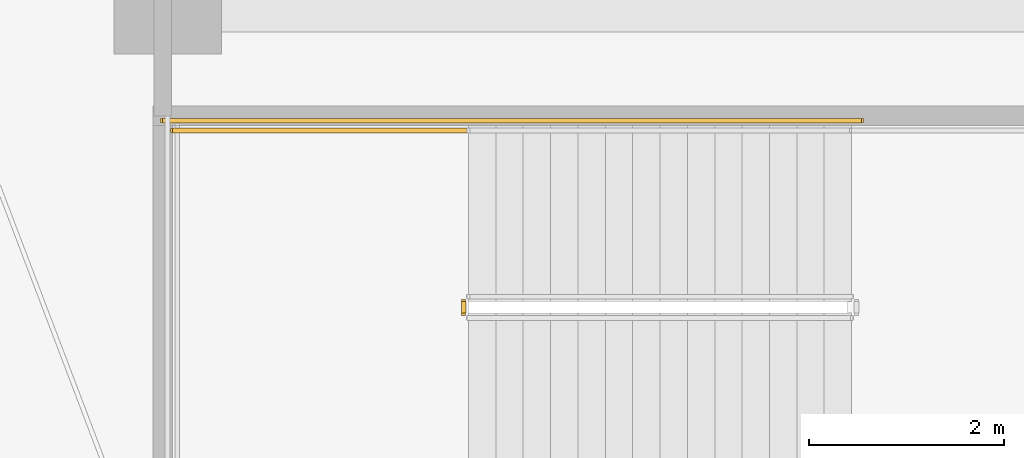
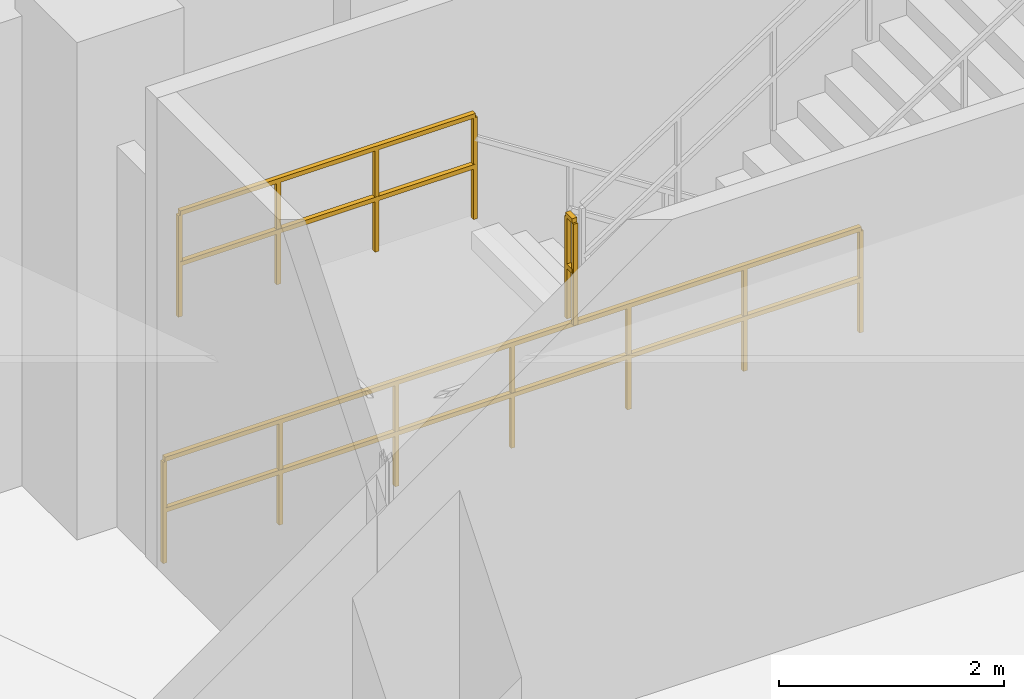
# One storey, part 22 of 25: 3 railings.
"""IFC4 building model written with IfcOpenShell, lengths in metres."""

from ifc_helpers import new_model, si_unit, direction, frame, origin, origin_2d, place, context, subcontext, project, spatial, rectangle, extrude, material, type_object, element, save


model = new_model("IFC4")

# Units and contexts
model_context = context("Model", 3, precision=1e-05, world=origin(), true_north=direction((-0.2419218956, 0.970295726276)))
body_context = subcontext(model_context, "Body", "Model", "MODEL_VIEW")
ifc_project = project(units=[si_unit("LENGTHUNIT", "METRE"), si_unit("AREAUNIT", "SQUARE_METRE"), si_unit("VOLUMEUNIT", "CUBIC_METRE"), si_unit("PLANEANGLEUNIT", "RADIAN"), si_unit("MASSUNIT", "GRAM", prefix="KILO")], contexts=[model_context])

# Site, building, storey
site_placement = place(None, origin())
site = spatial("IfcSite", under=ifc_project, at=site_placement, CompositionType="ELEMENT")
building_placement = place(site_placement, origin())
building = spatial("IfcBuilding", under=site, at=building_placement, Name="Cobrevalo Terracotta Tower", CompositionType="ELEMENT")
storey_placement = place(building_placement, origin())
storey = spatial("IfcBuildingStorey", under=building, at=storey_placement, Name="L00", CompositionType="ELEMENT", Elevation=0.0)

# Railings
ifc_material = material(Name="Painted galvanized steel", Category="steel")
railing_type = type_object("IfcRailingType", Name="Stair Well Guard Balustrade 1150", PredefinedType="GUARDRAIL", material=ifc_material)
railing_1_placement = place(storey_placement, frame((60.530029296875, 47.719970703125, 2.699951171875)))
element("IfcRailing", 1, at=railing_1_placement, inside=storey, type_object=railing_type, Name="L00 ST-P2 stair guard 2", PredefinedType="GUARDRAIL", context=body_context, shape_type="SweptSolid", body=[
    extrude(rectangle(XDim=0.048095703125, YDim=0.048095703125, at=origin_2d()), frame((0.0, 0.0, 1.1259765625), z_axis=(0.0, -1.0, 0.0), x_axis=(1.0, 0.0, 0.0)), (0.0, 0.0, 1.0), 0.119873046875),
    extrude(rectangle(XDim=0.048095703125, YDim=0.048095703125, at=origin_2d()), frame((0.0, 0.0, 0.574951171875), z_axis=(0.0, -1.0, 0.0), x_axis=(1.0, 0.0, 0.0)), (0.0, 0.0, 1.0), 0.119873046875),
    extrude(rectangle(XDim=0.0419921875, YDim=0.0419921875, at=origin_2d()), origin(), (0.0, 0.0, 1.0), 1.101806640625),
    extrude(rectangle(XDim=0.0419921875, YDim=0.0419921875, at=origin_2d()), frame((0.0, -0.119873046875, 0.0)), (0.0, 0.0, 1.0), 1.101806640625),
])
railing_2_placement = place(storey_placement, frame((60.580078125, 49.469970703125, 2.699951171875)))
element("IfcRailing", 2, at=railing_2_placement, inside=storey, type_object=railing_type, Name="L00 ST-P2 stair guard 3", PredefinedType="GUARDRAIL", context=body_context, shape_type="SweptSolid", body=[
    extrude(rectangle(XDim=0.048095703125, YDim=0.048095703125, at=origin_2d()), frame((0.0, 0.0, 1.1259765625), z_axis=(-1.0, 0.0, 0.0), x_axis=(0.0, -1.0, 0.0)), (0.0, 0.0, 1.0), 3.030029296875),
    extrude(rectangle(XDim=0.048095703125, YDim=0.048095703125, at=origin_2d()), frame((0.0, 0.0, 0.574951171875), z_axis=(-1.0, 0.0, 0.0), x_axis=(0.0, -1.0, 0.0)), (0.0, 0.0, 1.0), 3.030029296875),
    extrude(rectangle(XDim=0.0419921875, YDim=0.0419921875, at=origin_2d()), origin(), (0.0, 0.0, 1.0), 1.101806640625),
    extrude(rectangle(XDim=0.0419921875, YDim=0.0419921875, at=origin_2d()), frame((-1.010009765625, 0.0, 0.0)), (0.0, 0.0, 1.0), 1.101806640625),
    extrude(rectangle(XDim=0.0419921875, YDim=0.0419921875, at=origin_2d()), frame((-2.02001953125, 0.0, 0.0)), (0.0, 0.0, 1.0), 1.101806640625),
    extrude(rectangle(XDim=0.0419921875, YDim=0.0419921875, at=origin_2d()), frame((-3.030029296875, 0.0, 0.0)), (0.0, 0.0, 1.0), 1.101806640625),
])
railing_3_placement = place(storey_placement, frame((64.60009765625, 49.570068359375, 0.0)))
element("IfcRailing", 3, at=railing_3_placement, inside=storey, type_object=railing_type, Name="L00 ST-P2 stair guard 10", PredefinedType="GUARDRAIL", context=body_context, shape_type="SweptSolid", body=[
    extrude(rectangle(XDim=0.048095703125, YDim=0.048095703125, at=origin_2d()), frame((0.0, 0.0, 1.1259765625), z_axis=(-1.0, 0.0, 0.0), x_axis=(0.0, -1.0, 0.0)), (0.0, 0.0, 1.0), 7.150146484375),
    extrude(rectangle(XDim=0.048095703125, YDim=0.048095703125, at=origin_2d()), frame((0.0, 0.0, 0.574951171875), z_axis=(-1.0, 0.0, 0.0), x_axis=(0.0, -1.0, 0.0)), (0.0, 0.0, 1.0), 7.150146484375),
    extrude(rectangle(XDim=0.0419921875, YDim=0.0419921875, at=origin_2d()), origin(), (0.0, 0.0, 1.0), 1.101806640625),
    extrude(rectangle(XDim=0.0419921875, YDim=0.0419921875, at=origin_2d()), frame((-1.191650390625, 0.0, 0.0)), (0.0, 0.0, 1.0), 1.101806640625),
    extrude(rectangle(XDim=0.0419921875, YDim=0.0419921875, at=origin_2d()), frame((-2.38330078125, 0.0, 0.0)), (0.0, 0.0, 1.0), 1.101806640625),
    extrude(rectangle(XDim=0.0419921875, YDim=0.0419921875, at=origin_2d()), frame((-3.5751953125, 0.0, 0.0)), (0.0, 0.0, 1.0), 1.101806640625),
    extrude(rectangle(XDim=0.0419921875, YDim=0.0419921875, at=origin_2d()), frame((-4.766845703125, 0.0, 0.0)), (0.0, 0.0, 1.0), 1.101806640625),
    extrude(rectangle(XDim=0.0419921875, YDim=0.0419921875, at=origin_2d()), frame((-5.95849609375, 0.0, 0.0)), (0.0, 0.0, 1.0), 1.101806640625),
    extrude(rectangle(XDim=0.0419921875, YDim=0.0419921875, at=origin_2d()), frame((-7.150146484375, 0.0, 0.0)), (0.0, 0.0, 1.0), 1.101806640625),
])

save(model, "model.ifc")
